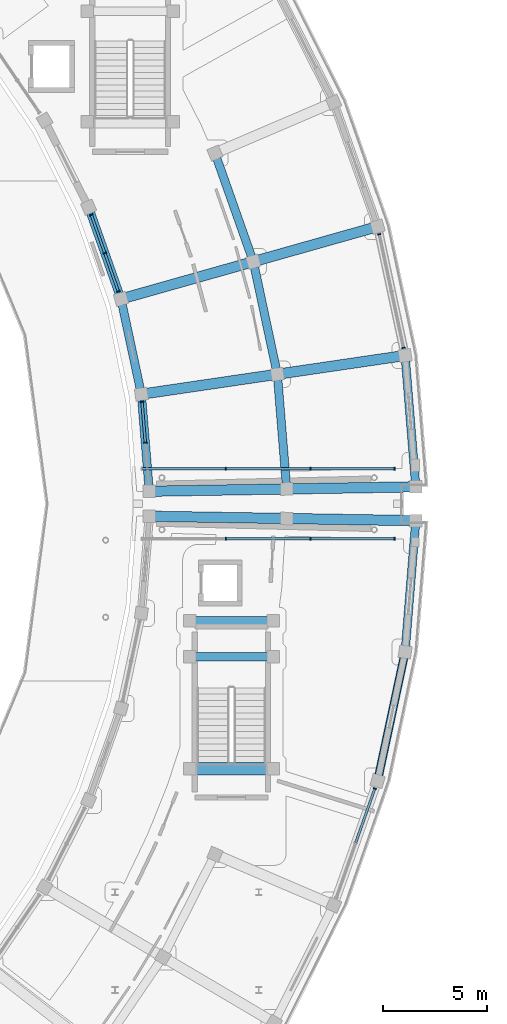
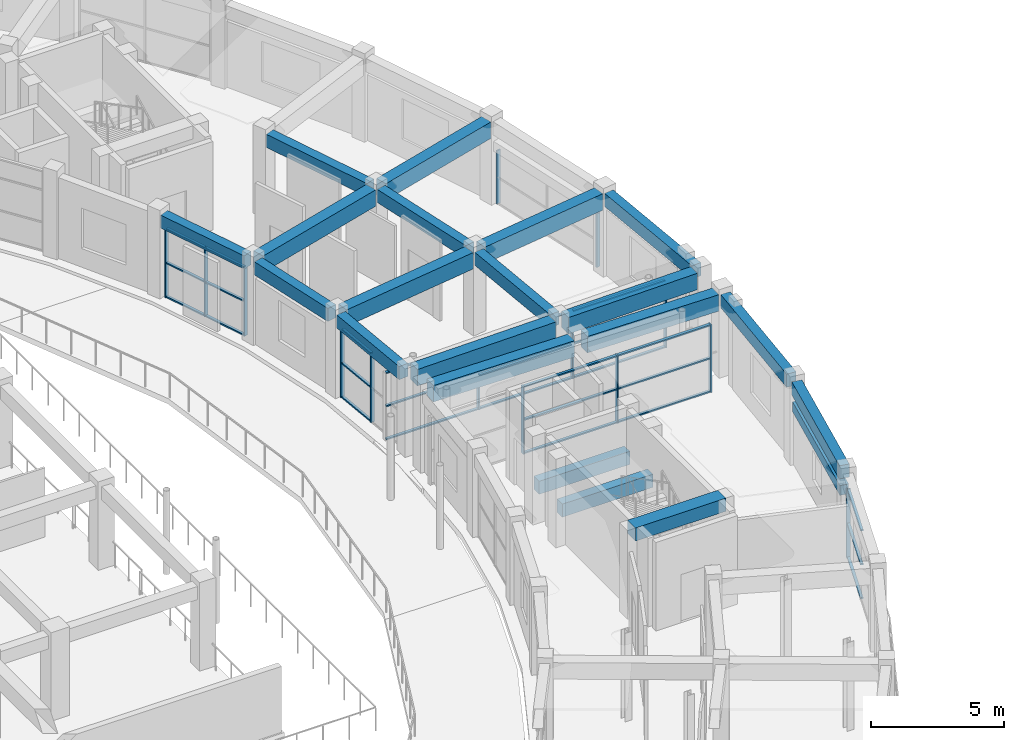
# One storey, part 34 of 83: 41 members, 21 beams, 6 elements without a shape of their own.
"""IFC4 building model written with IfcOpenShell, lengths in metres."""

from ifc_helpers import new_model, si_unit, direction, frame, origin, origin_2d, place, context, subcontext, project, spatial, rectangle, extrude, material, material_profile, profile_set, type_object, element, aggregate, save


model = new_model("IFC4")

# Units and contexts
model_context = context("Model", 3, precision=1e-05, world=origin(), true_north=direction((0.0, 1.0)))
body_context = subcontext(model_context, "Body", "Model", "MODEL_VIEW")
ifc_project = project(units=[si_unit("LENGTHUNIT", "METRE"), si_unit("AREAUNIT", "SQUARE_METRE"), si_unit("VOLUMEUNIT", "CUBIC_METRE"), si_unit("PLANEANGLEUNIT", "RADIAN"), si_unit("MASSUNIT", "GRAM", prefix="KILO")], contexts=[model_context])

# Site, building, storey
site_placement = place(None, origin())
site = spatial("IfcSite", under=ifc_project, at=site_placement, CompositionType="ELEMENT")
building_placement = place(site_placement, origin())
building = spatial("IfcBuilding", under=site, at=building_placement, Name="Saryqyr Civic Hall", CompositionType="ELEMENT")
storey_placement = place(building_placement, frame((0.0, 0.0, 9.14990234375)))
storey = spatial("IfcBuildingStorey", under=building, at=storey_placement, Name="L02", CompositionType="ELEMENT", Elevation=9.14990234375)

# Curtain wall, member
ifc_material_1 = material(Name="Anodised aluminium and triple low-E glass", Category="aluminium")
curtain_wall_type_1 = type_object("IfcCurtainWallType", Name="ENV-CW-STD-40", PredefinedType="NOTDEFINED", material=ifc_material_1)
curtain_wall_1_placement = place(storey_placement, origin())
curtain_wall_1 = element("IfcCurtainWall", 1, at=curtain_wall_1_placement, inside=storey, type_object=curtain_wall_type_1, Name="Curtain wall V5-CWO-L02-07", PredefinedType="NOTDEFINED")
ifc_material_2 = material(Name="Anodised aluminium", Category="aluminium")
ifc_material_profile_1 = material_profile(ifc_material_2, rectangle(XDim=0.06005859375, YDim=0.159912109375, at=origin_2d()), Name="ALU MULLION 60x160")
ifc_profile_set_1 = profile_set([ifc_material_profile_1], Name="Anodised aluminium")
member_type_1 = type_object("IfcMemberType", Name="ENV-CW-MUL-180", PredefinedType="MULLION", material=ifc_profile_set_1)
member_1_placement = place(storey_placement, frame((104.02783203125, 70.322998046875, 0.0), z_axis=(0.0, 0.0, 1.0), x_axis=(-0.33318018147, -0.942863174949, 0.0)))
member_1 = element("IfcMember", 2, at=member_1_placement, type_object=member_type_1, Name="CW-40 mullion 1", PredefinedType="MULLION", context=body_context, shape_type="SweptSolid", body=[
    extrude(rectangle(XDim=0.06005859375, YDim=0.159912109375, at=origin_2d()), origin(), (0.0, 0.0, 1.0), 3.1650390625),
])

# Curtain wall, members
curtain_wall_type_2 = type_object("IfcCurtainWallType", Name="ENV-CW-STD-21", PredefinedType="NOTDEFINED", material=ifc_material_1)
curtain_wall_2_placement = place(storey_placement, origin())
curtain_wall_2 = element("IfcCurtainWall", 3, at=curtain_wall_2_placement, inside=storey, type_object=curtain_wall_type_2, Name="Curtain wall V6-CWI-L02-00", PredefinedType="NOTDEFINED")
member_2_placement = place(storey_placement, frame((93.00537109375, 86.93017578125, 0.0), z_axis=(0.0, 0.0, 1.0), x_axis=(-0.081090889978, 0.996706710905, 0.0)))
member_2 = element("IfcMember", 4, at=member_2_placement, type_object=member_type_1, Name="CW-21 mullion 2", PredefinedType="MULLION", context=body_context, shape_type="SweptSolid", body=[
    extrude(rectangle(XDim=0.06005859375, YDim=0.159912109375, at=origin_2d()), origin(), (0.0, 0.0, 1.0), 3.1650390625),
])
member_3_placement = place(storey_placement, frame((92.845947265625, 88.89013671875, 0.0), z_axis=(0.0, 0.0, 1.0), x_axis=(-0.081090889978, 0.996706710905, 0.0)))
member_3 = element("IfcMember", 5, at=member_3_placement, type_object=member_type_1, Name="CW-21 mullion 3", PredefinedType="MULLION", context=body_context, shape_type="SweptSolid", body=[
    extrude(rectangle(XDim=0.06005859375, YDim=0.159912109375, at=origin_2d()), origin(), (0.0, 0.0, 1.0), 3.1650390625),
])

curtain_wall_type_3 = type_object("IfcCurtainWallType", Name="ENV-CW-STD-03", PredefinedType="NOTDEFINED", material=ifc_material_1)
curtain_wall_3_placement = place(storey_placement, origin())
curtain_wall_3 = element("IfcCurtainWall", 6, at=curtain_wall_3_placement, inside=storey, type_object=curtain_wall_type_3, Name="Curtain wall V6-CWO-L02-01", PredefinedType="NOTDEFINED")
member_4_placement = place(storey_placement, frame((104.23681640625, 96.939453125, 0.0), z_axis=(0.0, 0.0, 1.0), x_axis=(0.208908324386, -0.97793522894, 0.0)))
member_4 = element("IfcMember", 7, at=member_4_placement, type_object=member_type_1, Name="CW-03 mullion 1", PredefinedType="MULLION", context=body_context, shape_type="SweptSolid", body=[
    extrude(rectangle(XDim=0.06005859375, YDim=0.159912109375, at=origin_2d()), origin(), (0.0, 0.0, 1.0), 2.4501953125),
])
member_5_placement = place(storey_placement, frame((105.401123046875, 91.4892578125, 0.0), z_axis=(0.0, 0.0, 1.0), x_axis=(0.208908324386, -0.97793522894, 0.0)))
member_5 = element("IfcMember", 8, at=member_5_placement, type_object=member_type_1, Name="CW-03 mullion 3", PredefinedType="MULLION", context=body_context, shape_type="SweptSolid", body=[
    extrude(rectangle(XDim=0.06005859375, YDim=0.159912109375, at=origin_2d()), origin(), (0.0, 0.0, 1.0), 2.4501953125),
])
aggregate(curtain_wall_3, [member_4, member_5])

curtain_wall_4_placement = place(storey_placement, origin())
curtain_wall_4 = element("IfcCurtainWall", 9, at=curtain_wall_4_placement, inside=storey, type_object=curtain_wall_type_2, Name="Curtain wall V6-CWI-L02-02", PredefinedType="NOTDEFINED")
member_6_placement = place(storey_placement, frame((91.708984375, 94.200439453125, 0.0), z_axis=(0.0, 0.0, 1.0), x_axis=(-0.333171977335, 0.94286607401, 0.0)))
member_6 = element("IfcMember", 10, at=member_6_placement, type_object=member_type_1, Name="CW-21 mullion 1", PredefinedType="MULLION", context=body_context, shape_type="SweptSolid", body=[
    extrude(rectangle(XDim=0.06005859375, YDim=0.159912109375, at=origin_2d()), origin(), (0.0, 0.0, 1.0), 3.1650390625),
])
member_7_placement = place(storey_placement, frame((91.060302734375, 96.036376953125, 0.0), z_axis=(0.0, 0.0, 1.0), x_axis=(-0.333171977335, 0.94286607401, 0.0)))
member_7 = element("IfcMember", 11, at=member_7_placement, type_object=member_type_1, Name="CW-21 mullion 2", PredefinedType="MULLION", context=body_context, shape_type="SweptSolid", body=[
    extrude(rectangle(XDim=0.06005859375, YDim=0.159912109375, at=origin_2d()), origin(), (0.0, 0.0, 1.0), 3.1650390625),
])
member_8_placement = place(storey_placement, frame((90.41162109375, 97.8720703125, 0.0), z_axis=(0.0, 0.0, 1.0), x_axis=(-0.333171977335, 0.94286607401, 0.0)))
member_8 = element("IfcMember", 12, at=member_8_placement, type_object=member_type_1, Name="CW-21 mullion 3", PredefinedType="MULLION", context=body_context, shape_type="SweptSolid", body=[
    extrude(rectangle(XDim=0.06005859375, YDim=0.159912109375, at=origin_2d()), origin(), (0.0, 0.0, 1.0), 3.1650390625),
])

curtain_wall_type_4 = type_object("IfcCurtainWallType", Name="ENV-CW-STD-81", PredefinedType="NOTDEFINED", material=ifc_material_1)
curtain_wall_5_placement = place(storey_placement, origin())
curtain_wall_5 = element("IfcCurtainWall", 13, at=curtain_wall_5_placement, inside=storey, type_object=curtain_wall_type_4, Name="Curtain wall BR-E-CW1-L02", PredefinedType="NOTDEFINED")
member_9_placement = place(storey_placement, frame((104.969970703125, 82.320068359375, 0.0), z_axis=(0.0, 0.0, 1.0), x_axis=(-1.0, 0.0, 0.0)))
member_9 = element("IfcMember", 14, at=member_9_placement, type_object=member_type_1, Name="CW-81 mullion 1", PredefinedType="MULLION", context=body_context, shape_type="SweptSolid", body=[
    extrude(rectangle(XDim=0.06005859375, YDim=0.159912109375, at=origin_2d()), origin(), (0.0, 0.0, 1.0), 3.10009765625),
])
member_10_placement = place(storey_placement, frame((100.933349609375, 82.320068359375, 0.0), z_axis=(0.0, 0.0, 1.0), x_axis=(-1.0, 0.0, 0.0)))
member_10 = element("IfcMember", 15, at=member_10_placement, type_object=member_type_1, Name="CW-81 mullion 2", PredefinedType="MULLION", context=body_context, shape_type="SweptSolid", body=[
    extrude(rectangle(XDim=0.06005859375, YDim=0.159912109375, at=origin_2d()), origin(), (0.0, 0.0, 1.0), 3.10009765625),
])
member_11_placement = place(storey_placement, frame((96.86669921875, 82.320068359375, 0.0), z_axis=(0.0, 0.0, 1.0), x_axis=(-1.0, 0.0, 0.0)))
member_11 = element("IfcMember", 16, at=member_11_placement, type_object=member_type_1, Name="CW-81 mullion 3", PredefinedType="MULLION", context=body_context, shape_type="SweptSolid", body=[
    extrude(rectangle(XDim=0.06005859375, YDim=0.159912109375, at=origin_2d()), origin(), (0.0, 0.0, 1.0), 3.10009765625),
])

curtain_wall_6_placement = place(storey_placement, origin())
curtain_wall_6 = element("IfcCurtainWall", 17, at=curtain_wall_6_placement, inside=storey, type_object=curtain_wall_type_4, Name="Curtain wall BR-E-CW2-L02", PredefinedType="NOTDEFINED")
member_12_placement = place(storey_placement, frame((96.86669921875, 85.679931640625, 0.0), z_axis=(0.0, 0.0, 1.0), x_axis=(1.0, 0.0, 0.0)))
member_12 = element("IfcMember", 18, at=member_12_placement, type_object=member_type_1, Name="CW-81 mullion 2", PredefinedType="MULLION", context=body_context, shape_type="SweptSolid", body=[
    extrude(rectangle(XDim=0.06005859375, YDim=0.159912109375, at=origin_2d()), origin(), (0.0, 0.0, 1.0), 3.10009765625),
])
member_13_placement = place(storey_placement, frame((100.933349609375, 85.679931640625, 0.0), z_axis=(0.0, 0.0, 1.0), x_axis=(1.0, 0.0, 0.0)))
member_13 = element("IfcMember", 19, at=member_13_placement, type_object=member_type_1, Name="CW-81 mullion 3", PredefinedType="MULLION", context=body_context, shape_type="SweptSolid", body=[
    extrude(rectangle(XDim=0.06005859375, YDim=0.159912109375, at=origin_2d()), origin(), (0.0, 0.0, 1.0), 3.10009765625),
])
member_14_placement = place(storey_placement, frame((104.969970703125, 85.679931640625, 0.0), z_axis=(0.0, 0.0, 1.0), x_axis=(1.0, 0.0, 0.0)))
member_14 = element("IfcMember", 20, at=member_14_placement, type_object=member_type_1, Name="CW-81 mullion 4", PredefinedType="MULLION", context=body_context, shape_type="SweptSolid", body=[
    extrude(rectangle(XDim=0.06005859375, YDim=0.159912109375, at=origin_2d()), origin(), (0.0, 0.0, 1.0), 3.10009765625),
])

# Member
ifc_material_profile_2 = material_profile(ifc_material_2, rectangle(XDim=0.1201171875, YDim=0.06005859375, at=origin_2d()), Name="ALU TRANSOM 120x60")
ifc_profile_set_2 = profile_set([ifc_material_profile_2], Name="Anodised aluminium")
member_type_2 = type_object("IfcMemberType", Name="ENV-CW-TRN-150", PredefinedType="USERDEFINED", material=ifc_profile_set_2)
member_15_placement = place(storey_placement, frame((104.017822265625, 70.294677734375, 0.030029296875), z_axis=(-0.333154226884, -0.942872346137, 0.0), x_axis=(0.942872346137, -0.333154226884, 0.0)))
member_15 = element("IfcMember", 21, at=member_15_placement, type_object=member_type_2, Name="CW-40 transom 1.1", ObjectType="TRANSOM", PredefinedType="USERDEFINED", context=body_context, shape_type="SweptSolid", body=[
    extrude(rectangle(XDim=0.1201171875, YDim=0.06005859375, at=origin_2d()), origin(), (0.0, 0.0, 1.0), 2.713623046875),
])

member_16_placement = place(storey_placement, frame((104.017822265625, 70.294677734375, 1.58203125), z_axis=(-0.333154226884, -0.942872346137, 0.0), x_axis=(0.942872346137, -0.333154226884, 0.0)))
member_16 = element("IfcMember", 22, at=member_16_placement, type_object=member_type_2, Name="CW-40 transom 1.2", ObjectType="TRANSOM", PredefinedType="USERDEFINED", context=body_context, shape_type="SweptSolid", body=[
    extrude(rectangle(XDim=0.1201171875, YDim=0.06005859375, at=origin_2d()), origin(), (0.0, 0.0, 1.0), 2.713623046875),
])

member_17_placement = place(storey_placement, frame((104.017822265625, 70.294677734375, 3.135009765625), z_axis=(-0.333154226884, -0.942872346137, 0.0), x_axis=(0.942872346137, -0.333154226884, 0.0)))
member_17 = element("IfcMember", 23, at=member_17_placement, type_object=member_type_2, Name="CW-40 transom 1.3", ObjectType="TRANSOM", PredefinedType="USERDEFINED", context=body_context, shape_type="SweptSolid", body=[
    extrude(rectangle(XDim=0.1201171875, YDim=0.06005859375, at=origin_2d()), origin(), (0.0, 0.0, 1.0), 2.713623046875),
])

aggregate(curtain_wall_1, [member_1, member_15, member_16, member_17])

member_18_placement = place(storey_placement, frame((93.0029296875, 86.9599609375, 0.030029296875), z_axis=(-0.081053095321, 0.996709785112, 0.0), x_axis=(-0.996709785112, -0.081053095321, 0.0)))
member_18 = element("IfcMember", 24, at=member_18_placement, type_object=member_type_2, Name="CW-21 transom 2.1", ObjectType="TRANSOM", PredefinedType="USERDEFINED", context=body_context, shape_type="SweptSolid", body=[
    extrude(rectangle(XDim=0.1201171875, YDim=0.06005859375, at=origin_2d()), origin(), (0.0, 0.0, 1.0), 1.90673828125),
])

member_19_placement = place(storey_placement, frame((93.0029296875, 86.9599609375, 1.58203125), z_axis=(-0.081053095321, 0.996709785112, 0.0), x_axis=(-0.996709785112, -0.081053095321, 0.0)))
member_19 = element("IfcMember", 25, at=member_19_placement, type_object=member_type_2, Name="CW-21 transom 2.2", ObjectType="TRANSOM", PredefinedType="USERDEFINED", context=body_context, shape_type="SweptSolid", body=[
    extrude(rectangle(XDim=0.1201171875, YDim=0.06005859375, at=origin_2d()), origin(), (0.0, 0.0, 1.0), 1.90673828125),
])

member_20_placement = place(storey_placement, frame((93.0029296875, 86.9599609375, 3.135009765625), z_axis=(-0.081053095321, 0.996709785112, 0.0), x_axis=(-0.996709785112, -0.081053095321, 0.0)))
member_20 = element("IfcMember", 26, at=member_20_placement, type_object=member_type_2, Name="CW-21 transom 2.3", ObjectType="TRANSOM", PredefinedType="USERDEFINED", context=body_context, shape_type="SweptSolid", body=[
    extrude(rectangle(XDim=0.1201171875, YDim=0.06005859375, at=origin_2d()), origin(), (0.0, 0.0, 1.0), 1.90673828125),
])

aggregate(curtain_wall_2, [member_2, member_3, member_18, member_19, member_20])

member_21_placement = place(storey_placement, frame((91.698974609375, 94.228759765625, 0.030029296875), z_axis=(-0.333138159912, 0.942878023082, 0.0), x_axis=(-0.942878023082, -0.333138159912, 0.0)))
member_21 = element("IfcMember", 27, at=member_21_placement, type_object=member_type_2, Name="CW-21 transom 1.1", ObjectType="TRANSOM", PredefinedType="USERDEFINED", context=body_context, shape_type="SweptSolid", body=[
    extrude(rectangle(XDim=0.1201171875, YDim=0.06005859375, at=origin_2d()), origin(), (0.0, 0.0, 1.0), 1.88720703125),
])

member_22_placement = place(storey_placement, frame((91.698974609375, 94.228759765625, 1.58203125), z_axis=(-0.333138159912, 0.942878023082, 0.0), x_axis=(-0.942878023082, -0.333138159912, 0.0)))
member_22 = element("IfcMember", 28, at=member_22_placement, type_object=member_type_2, Name="CW-21 transom 1.2", ObjectType="TRANSOM", PredefinedType="USERDEFINED", context=body_context, shape_type="SweptSolid", body=[
    extrude(rectangle(XDim=0.1201171875, YDim=0.06005859375, at=origin_2d()), origin(), (0.0, 0.0, 1.0), 1.88720703125),
])

member_23_placement = place(storey_placement, frame((91.698974609375, 94.228759765625, 3.135009765625), z_axis=(-0.333138159912, 0.942878023082, 0.0), x_axis=(-0.942878023082, -0.333138159912, 0.0)))
member_23 = element("IfcMember", 29, at=member_23_placement, type_object=member_type_2, Name="CW-21 transom 1.3", ObjectType="TRANSOM", PredefinedType="USERDEFINED", context=body_context, shape_type="SweptSolid", body=[
    extrude(rectangle(XDim=0.1201171875, YDim=0.06005859375, at=origin_2d()), origin(), (0.0, 0.0, 1.0), 1.88720703125),
])

member_24_placement = place(storey_placement, frame((91.05029296875, 96.064697265625, 0.030029296875), z_axis=(-0.333178802066, 0.942863662389, 0.0), x_axis=(-0.942863662389, -0.333178802066, 0.0)))
member_24 = element("IfcMember", 30, at=member_24_placement, type_object=member_type_2, Name="CW-21 transom 2.1", ObjectType="TRANSOM", PredefinedType="USERDEFINED", context=body_context, shape_type="SweptSolid", body=[
    extrude(rectangle(XDim=0.1201171875, YDim=0.06005859375, at=origin_2d()), origin(), (0.0, 0.0, 1.0), 1.886962890625),
])

member_25_placement = place(storey_placement, frame((91.05029296875, 96.064697265625, 1.58203125), z_axis=(-0.333178802066, 0.942863662389, 0.0), x_axis=(-0.942863662389, -0.333178802066, 0.0)))
member_25 = element("IfcMember", 31, at=member_25_placement, type_object=member_type_2, Name="CW-21 transom 2.2", ObjectType="TRANSOM", PredefinedType="USERDEFINED", context=body_context, shape_type="SweptSolid", body=[
    extrude(rectangle(XDim=0.1201171875, YDim=0.06005859375, at=origin_2d()), origin(), (0.0, 0.0, 1.0), 1.886962890625),
])

member_26_placement = place(storey_placement, frame((91.05029296875, 96.064697265625, 3.135009765625), z_axis=(-0.333178802066, 0.942863662389, 0.0), x_axis=(-0.942863662389, -0.333178802066, 0.0)))
member_26 = element("IfcMember", 32, at=member_26_placement, type_object=member_type_2, Name="CW-21 transom 2.3", ObjectType="TRANSOM", PredefinedType="USERDEFINED", context=body_context, shape_type="SweptSolid", body=[
    extrude(rectangle(XDim=0.1201171875, YDim=0.06005859375, at=origin_2d()), origin(), (0.0, 0.0, 1.0), 1.886962890625),
])

aggregate(curtain_wall_4, [member_6, member_7, member_8, member_21, member_22, member_23, member_24, member_25, member_26])

member_27_placement = place(storey_placement, frame((104.93994140625, 82.320068359375, 0.030029296875), z_axis=(-1.0, 0.0, 0.0), x_axis=(0.0, -1.0, 0.0)))
member_27 = element("IfcMember", 33, at=member_27_placement, type_object=member_type_2, Name="CW-81 transom 1.1", ObjectType="TRANSOM", PredefinedType="USERDEFINED", context=body_context, shape_type="SweptSolid", body=[
    extrude(rectangle(XDim=0.1201171875, YDim=0.06005859375, at=origin_2d()), origin(), (0.0, 0.0, 1.0), 3.9765625),
])

member_28_placement = place(storey_placement, frame((104.93994140625, 82.320068359375, 1.550048828125), z_axis=(-1.0, 0.0, 0.0), x_axis=(0.0, -1.0, 0.0)))
member_28 = element("IfcMember", 34, at=member_28_placement, type_object=member_type_2, Name="CW-81 transom 1.2", ObjectType="TRANSOM", PredefinedType="USERDEFINED", context=body_context, shape_type="SweptSolid", body=[
    extrude(rectangle(XDim=0.1201171875, YDim=0.06005859375, at=origin_2d()), origin(), (0.0, 0.0, 1.0), 3.9765625),
])

member_29_placement = place(storey_placement, frame((104.93994140625, 82.320068359375, 3.070068359375), z_axis=(-1.0, 0.0, 0.0), x_axis=(0.0, -1.0, 0.0)))
member_29 = element("IfcMember", 35, at=member_29_placement, type_object=member_type_2, Name="CW-81 transom 1.3", ObjectType="TRANSOM", PredefinedType="USERDEFINED", context=body_context, shape_type="SweptSolid", body=[
    extrude(rectangle(XDim=0.1201171875, YDim=0.06005859375, at=origin_2d()), origin(), (0.0, 0.0, 1.0), 3.9765625),
])

member_30_placement = place(storey_placement, frame((100.9033203125, 82.320068359375, 0.030029296875), z_axis=(-1.0, 0.0, 0.0), x_axis=(0.0, -1.0, 0.0)))
member_30 = element("IfcMember", 36, at=member_30_placement, type_object=member_type_2, Name="CW-81 transom 2.1", ObjectType="TRANSOM", PredefinedType="USERDEFINED", context=body_context, shape_type="SweptSolid", body=[
    extrude(rectangle(XDim=0.1201171875, YDim=0.06005859375, at=origin_2d()), origin(), (0.0, 0.0, 1.0), 4.006591796875),
])

member_31_placement = place(storey_placement, frame((100.9033203125, 82.320068359375, 1.550048828125), z_axis=(-1.0, 0.0, 0.0), x_axis=(0.0, -1.0, 0.0)))
member_31 = element("IfcMember", 37, at=member_31_placement, type_object=member_type_2, Name="CW-81 transom 2.2", ObjectType="TRANSOM", PredefinedType="USERDEFINED", context=body_context, shape_type="SweptSolid", body=[
    extrude(rectangle(XDim=0.1201171875, YDim=0.06005859375, at=origin_2d()), origin(), (0.0, 0.0, 1.0), 4.006591796875),
])

member_32_placement = place(storey_placement, frame((100.9033203125, 82.320068359375, 3.070068359375), z_axis=(-1.0, 0.0, 0.0), x_axis=(0.0, -1.0, 0.0)))
member_32 = element("IfcMember", 38, at=member_32_placement, type_object=member_type_2, Name="CW-81 transom 2.3", ObjectType="TRANSOM", PredefinedType="USERDEFINED", context=body_context, shape_type="SweptSolid", body=[
    extrude(rectangle(XDim=0.1201171875, YDim=0.06005859375, at=origin_2d()), origin(), (0.0, 0.0, 1.0), 4.006591796875),
])

aggregate(curtain_wall_5, [member_9, member_10, member_11, member_27, member_28, member_29, member_30, member_31, member_32])

member_33_placement = place(storey_placement, frame((92.860107421875, 85.679931640625, 0.030029296875), z_axis=(1.0, 0.0, 0.0), x_axis=(0.0, 1.0, 0.0)))
member_33 = element("IfcMember", 39, at=member_33_placement, type_object=member_type_2, Name="CW-81 transom 1.1", ObjectType="TRANSOM", PredefinedType="USERDEFINED", context=body_context, shape_type="SweptSolid", body=[
    extrude(rectangle(XDim=0.1201171875, YDim=0.06005859375, at=origin_2d()), origin(), (0.0, 0.0, 1.0), 3.9765625),
])

member_34_placement = place(storey_placement, frame((92.860107421875, 85.679931640625, 1.550048828125), z_axis=(1.0, 0.0, 0.0), x_axis=(0.0, 1.0, 0.0)))
member_34 = element("IfcMember", 40, at=member_34_placement, type_object=member_type_2, Name="CW-81 transom 1.2", ObjectType="TRANSOM", PredefinedType="USERDEFINED", context=body_context, shape_type="SweptSolid", body=[
    extrude(rectangle(XDim=0.1201171875, YDim=0.06005859375, at=origin_2d()), origin(), (0.0, 0.0, 1.0), 3.9765625),
])

member_35_placement = place(storey_placement, frame((92.860107421875, 85.679931640625, 3.070068359375), z_axis=(1.0, 0.0, 0.0), x_axis=(0.0, 1.0, 0.0)))
member_35 = element("IfcMember", 41, at=member_35_placement, type_object=member_type_2, Name="CW-81 transom 1.3", ObjectType="TRANSOM", PredefinedType="USERDEFINED", context=body_context, shape_type="SweptSolid", body=[
    extrude(rectangle(XDim=0.1201171875, YDim=0.06005859375, at=origin_2d()), origin(), (0.0, 0.0, 1.0), 3.9765625),
])

member_36_placement = place(storey_placement, frame((96.896728515625, 85.679931640625, 0.030029296875), z_axis=(1.0, 0.0, 0.0), x_axis=(0.0, 1.0, 0.0)))
member_36 = element("IfcMember", 42, at=member_36_placement, type_object=member_type_2, Name="CW-81 transom 2.1", ObjectType="TRANSOM", PredefinedType="USERDEFINED", context=body_context, shape_type="SweptSolid", body=[
    extrude(rectangle(XDim=0.1201171875, YDim=0.06005859375, at=origin_2d()), origin(), (0.0, 0.0, 1.0), 4.006591796875),
])

member_37_placement = place(storey_placement, frame((96.896728515625, 85.679931640625, 1.550048828125), z_axis=(1.0, 0.0, 0.0), x_axis=(0.0, 1.0, 0.0)))
member_37 = element("IfcMember", 43, at=member_37_placement, type_object=member_type_2, Name="CW-81 transom 2.2", ObjectType="TRANSOM", PredefinedType="USERDEFINED", context=body_context, shape_type="SweptSolid", body=[
    extrude(rectangle(XDim=0.1201171875, YDim=0.06005859375, at=origin_2d()), origin(), (0.0, 0.0, 1.0), 4.006591796875),
])

member_38_placement = place(storey_placement, frame((96.896728515625, 85.679931640625, 3.070068359375), z_axis=(1.0, 0.0, 0.0), x_axis=(0.0, 1.0, 0.0)))
member_38 = element("IfcMember", 44, at=member_38_placement, type_object=member_type_2, Name="CW-81 transom 2.3", ObjectType="TRANSOM", PredefinedType="USERDEFINED", context=body_context, shape_type="SweptSolid", body=[
    extrude(rectangle(XDim=0.1201171875, YDim=0.06005859375, at=origin_2d()), origin(), (0.0, 0.0, 1.0), 4.006591796875),
])

member_39_placement = place(storey_placement, frame((100.96337890625, 85.679931640625, 0.030029296875), z_axis=(1.0, 0.0, 0.0), x_axis=(0.0, 1.0, 0.0)))
member_39 = element("IfcMember", 45, at=member_39_placement, type_object=member_type_2, Name="CW-81 transom 3.1", ObjectType="TRANSOM", PredefinedType="USERDEFINED", context=body_context, shape_type="SweptSolid", body=[
    extrude(rectangle(XDim=0.1201171875, YDim=0.06005859375, at=origin_2d()), origin(), (0.0, 0.0, 1.0), 3.9765625),
])

member_40_placement = place(storey_placement, frame((100.96337890625, 85.679931640625, 1.550048828125), z_axis=(1.0, 0.0, 0.0), x_axis=(0.0, 1.0, 0.0)))
member_40 = element("IfcMember", 46, at=member_40_placement, type_object=member_type_2, Name="CW-81 transom 3.2", ObjectType="TRANSOM", PredefinedType="USERDEFINED", context=body_context, shape_type="SweptSolid", body=[
    extrude(rectangle(XDim=0.1201171875, YDim=0.06005859375, at=origin_2d()), origin(), (0.0, 0.0, 1.0), 3.9765625),
])

member_41_placement = place(storey_placement, frame((100.96337890625, 85.679931640625, 3.070068359375), z_axis=(1.0, 0.0, 0.0), x_axis=(0.0, 1.0, 0.0)))
member_41 = element("IfcMember", 47, at=member_41_placement, type_object=member_type_2, Name="CW-81 transom 3.3", ObjectType="TRANSOM", PredefinedType="USERDEFINED", context=body_context, shape_type="SweptSolid", body=[
    extrude(rectangle(XDim=0.1201171875, YDim=0.06005859375, at=origin_2d()), origin(), (0.0, 0.0, 1.0), 3.9765625),
])

aggregate(curtain_wall_6, [member_12, member_13, member_14, member_33, member_34, member_35, member_36, member_37, member_38, member_39, member_40, member_41])

# Beams
ifc_material_3 = material(Name="Concrete C35/45", Category="concrete")
ifc_material_profile_3 = material_profile(ifc_material_3, rectangle(XDim=0.39990234375, YDim=0.60009765625, at=origin_2d()), Name="RC 400x600")
ifc_profile_set_3 = profile_set([ifc_material_profile_3], Name="Concrete C35/45")
beam_type_1 = type_object("IfcBeamType", Name="STR-BM-RC400x600", PredefinedType="BEAM", material=ifc_profile_set_3)
for number, where, z_axis, x_axis, name in (
    (48, (99.771728515625, 84.983642578125, 3.489990234375), (-0.081072662347, 0.996708193716, 0.0), (-0.996708193716, -0.081072662347, 0.0), "Beam V6-CBM-MID00-L02"),
    (49, (99.288330078125, 90.488037109375, 3.489990234375), (-0.208889285381, 0.977939295894, 0.0), (-0.977939295894, -0.208889285381, 0.0), "Beam V6-CBM-MID01-L02"),
    (50, (98.099609375, 95.884033203125, 3.489990234375), (-0.333215168941, 0.942850810674, 0.0), (-0.942850810674, -0.333215168941, 0.0), "Beam V6-CBM-MID02-L02"),
):
    element("IfcBeam", number, at=place(storey_placement, frame(where, z_axis=z_axis, x_axis=x_axis)), inside=storey, type_object=beam_type_1, Name=name, PredefinedType="BEAM", context=body_context, shape_type="SweptSolid", body=[
        extrude(rectangle(XDim=0.39990234375, YDim=0.60009765625, at=origin_2d()), origin(), (0.0, 0.0, 1.0), 4.977783203125),
    ])
for number, where, z_axis, x_axis, name in (
    (51, (99.10009765625, 76.64990234375, 1.525146484375), (-1.0, 0.0, 0.0), (0.0, -1.0, 0.0), "Stair half-landing support beam ST-5-LND1-L02"),
    (52, (99.10009765625, 78.3798828125, 1.525146484375), (-1.0, 0.0, 0.0), (0.0, -1.0, 0.0), "Stair half-landing support beam ST-5-LND2-L02"),
):
    element("IfcBeam", number, at=place(storey_placement, frame(where, z_axis=z_axis, x_axis=x_axis)), inside=storey, type_object=beam_type_1, Name=name, PredefinedType="BEAM", context=body_context, shape_type="SweptSolid", body=[
        extrude(rectangle(XDim=0.39990234375, YDim=0.60009765625, at=origin_2d()), origin(), (0.0, 0.0, 1.0), 3.920166015625),
    ])
ifc_material_profile_4 = material_profile(ifc_material_3, rectangle(XDim=0.39990234375, YDim=0.60009765625, at=origin_2d()), Name="RC 400x600")
ifc_profile_set_4 = profile_set([ifc_material_profile_4], Name="Concrete C35/45")
beam_type_2 = type_object("IfcBeamType", Name="STR-BM-RC400x600-EXT", PredefinedType="BEAM", material=ifc_profile_set_4)
beam_1_placement = place(storey_placement, frame((104.21533203125, 70.960205078125, 3.489990234375), z_axis=(0.208928885594, 0.977930836391, 0.0), x_axis=(-0.977930836391, 0.208928885594, 0.0)))
element("IfcBeam", 53, at=beam_1_placement, inside=storey, type_object=beam_type_2, Name="Beam V5-CBM-OUT08-L02", PredefinedType="BEAM", context=body_context, shape_type="SweptSolid", body=[
    extrude(rectangle(XDim=0.39990234375, YDim=0.60009765625, at=origin_2d()), origin(), (0.0, 0.0, 1.0), 5.7783203125),
])
beam_2_placement = place(storey_placement, frame((105.502197265625, 77.154052734375, 3.489990234375), z_axis=(0.081118754251, 0.996704443508, 0.0), x_axis=(-0.996704443508, 0.081118754251, 0.0)))
element("IfcBeam", 54, at=beam_2_placement, inside=storey, type_object=beam_type_2, Name="Beam V5-CBM-OUT09-L02", PredefinedType="BEAM", context=body_context, shape_type="SweptSolid", body=[
    extrude(rectangle(XDim=0.39990234375, YDim=0.60009765625, at=origin_2d()), origin(), (0.0, 0.0, 1.0), 5.778564453125),
])
beam_3_placement = place(storey_placement, frame((93.172607421875, 84.874267578125, 3.489990234375), z_axis=(-0.081076463708, 0.996707884504, 0.0), x_axis=(-0.996707884504, -0.081076463708, 0.0)))
element("IfcBeam", 55, at=beam_3_placement, inside=storey, type_object=beam_type_2, Name="Beam V6-CBM-IN00-L02", PredefinedType="BEAM", context=body_context, shape_type="SweptSolid", body=[
    extrude(rectangle(XDim=0.39990234375, YDim=0.60009765625, at=origin_2d()), origin(), (0.0, 0.0, 1.0), 4.12548828125),
])
beam_4_placement = place(storey_placement, frame((105.970947265625, 85.08642578125, 3.489990234375), z_axis=(-0.081118754251, 0.996704443508, 0.0), x_axis=(-0.996704443508, -0.081118754251, 0.0)))
element("IfcBeam", 56, at=beam_4_placement, inside=storey, type_object=beam_type_2, Name="Beam V6-CBM-OUT00-L02", PredefinedType="BEAM", context=body_context, shape_type="SweptSolid", body=[
    extrude(rectangle(XDim=0.39990234375, YDim=0.60009765625, at=origin_2d()), origin(), (0.0, 0.0, 1.0), 5.778564453125),
])
beam_5_placement = place(storey_placement, frame((92.75830078125, 89.529052734375, 3.489990234375), z_axis=(-0.208914702751, 0.97793386636, 0.0), x_axis=(-0.97793386636, -0.208914702751, 0.0)))
element("IfcBeam", 57, at=beam_5_placement, inside=storey, type_object=beam_type_2, Name="Beam V6-CBM-IN01-L02", PredefinedType="BEAM", context=body_context, shape_type="SweptSolid", body=[
    extrude(rectangle(XDim=0.39990234375, YDim=0.60009765625, at=origin_2d()), origin(), (0.0, 0.0, 1.0), 4.125244140625),
])
beam_6_placement = place(storey_placement, frame((91.74755859375, 94.091552734375, 3.489990234375), z_axis=(-0.333185372097, 0.942861340718, 0.0), x_axis=(-0.942861340718, -0.333185372097, 0.0)))
element("IfcBeam", 58, at=beam_6_placement, inside=storey, type_object=beam_type_2, Name="Beam V6-CBM-IN02-L02", PredefinedType="BEAM", context=body_context, shape_type="SweptSolid", body=[
    extrude(rectangle(XDim=0.39990234375, YDim=0.60009765625, at=origin_2d()), origin(), (0.0, 0.0, 1.0), 4.12548828125),
])
ifc_material_4 = material(Name="Concrete C40/50", Category="concrete")
ifc_material_profile_5 = material_profile(ifc_material_4, rectangle(XDim=0.5, YDim=0.75, at=origin_2d()), Name="RC 500x750")
ifc_profile_set_5 = profile_set([ifc_material_profile_5], Name="Concrete C40/50")
beam_type_3 = type_object("IfcBeamType", Name="STR-BM-RC500x750", PredefinedType="BEAM", material=ifc_profile_set_5)
beam_7_placement = place(storey_placement, frame((93.469970703125, 83.395263671875, 3.4150390625), z_axis=(0.9998624481, -0.016585682939, 0.0), x_axis=(0.016585682939, 0.9998624481, 0.0)))
element("IfcBeam", 59, at=beam_7_placement, inside=storey, type_object=beam_type_3, Name="Beam V5-RBM-A10-L02", PredefinedType="BEAM", context=body_context, shape_type="SweptSolid", body=[
    extrude(rectangle(XDim=0.5, YDim=0.75, at=origin_2d()), origin(), (0.0, 0.0, 1.0), 6.0498046875),
])
beam_8_placement = place(storey_placement, frame((100.069091796875, 83.285888671875, 3.4150390625), z_axis=(0.999862325475, -0.016593073728, 0.0), x_axis=(0.016593073728, 0.999862325475, 0.0)))
element("IfcBeam", 60, at=beam_8_placement, inside=storey, type_object=beam_type_3, Name="Beam V5-RBM-B10-L02", PredefinedType="BEAM", context=body_context, shape_type="SweptSolid", body=[
    extrude(rectangle(XDim=0.5, YDim=0.75, at=origin_2d()), origin(), (0.0, 0.0, 1.0), 5.64990234375),
])
beam_9_placement = place(storey_placement, frame((93.469970703125, 84.604736328125, 3.4150390625), z_axis=(0.9998624481, 0.016585682939, 0.0), x_axis=(-0.016585682939, 0.9998624481, 0.0)))
element("IfcBeam", 61, at=beam_9_placement, inside=storey, type_object=beam_type_3, Name="Beam V6-RBM-A00-L02", PredefinedType="BEAM", context=body_context, shape_type="SweptSolid", body=[
    extrude(rectangle(XDim=0.5, YDim=0.75, at=origin_2d()), origin(), (0.0, 0.0, 1.0), 6.0498046875),
])
beam_10_placement = place(storey_placement, frame((100.069091796875, 84.714111328125, 3.4150390625), z_axis=(0.999862325475, 0.016593073728, 0.0), x_axis=(-0.016593073728, 0.999862325475, 0.0)))
element("IfcBeam", 62, at=beam_10_placement, inside=storey, type_object=beam_type_3, Name="Beam V6-RBM-B00-L02", PredefinedType="BEAM", context=body_context, shape_type="SweptSolid", body=[
    extrude(rectangle(XDim=0.5, YDim=0.75, at=origin_2d()), origin(), (0.0, 0.0, 1.0), 5.64990234375),
])
beam_11_placement = place(storey_placement, frame((93.087890625, 89.300048828125, 3.4150390625), z_axis=(0.989385770491, 0.145312756323, 0.0), x_axis=(-0.145312756323, 0.989385770491, 0.0)))
element("IfcBeam", 63, at=beam_11_placement, inside=storey, type_object=beam_type_3, Name="Beam V6-RBM-A01-L02", PredefinedType="BEAM", context=body_context, shape_type="SweptSolid", body=[
    extrude(rectangle(XDim=0.5, YDim=0.75, at=origin_2d()), origin(), (0.0, 0.0, 1.0), 6.050048828125),
])
beam_12_placement = place(storey_placement, frame((99.617919921875, 90.259033203125, 3.4150390625), z_axis=(0.989385279689, 0.145316097986, 0.0), x_axis=(-0.145316097986, 0.989385279689, 0.0)))
element("IfcBeam", 64, at=beam_12_placement, inside=storey, type_object=beam_type_3, Name="Beam V6-RBM-B01-L02", PredefinedType="BEAM", context=body_context, shape_type="SweptSolid", body=[
    extrude(rectangle(XDim=0.5, YDim=0.75, at=origin_2d()), origin(), (0.0, 0.0, 1.0), 5.650146484375),
])
beam_13_placement = place(storey_placement, frame((92.10400390625, 93.906982421875, 3.4150390625), z_axis=(0.962414253167, 0.27158572367, 0.0), x_axis=(-0.27158572367, 0.962414253167, 0.0)))
element("IfcBeam", 65, at=beam_13_placement, inside=storey, type_object=beam_type_3, Name="Beam V6-RBM-A02-L02", PredefinedType="BEAM", context=body_context, shape_type="SweptSolid", body=[
    extrude(rectangle(XDim=0.5, YDim=0.75, at=origin_2d()), origin(), (0.0, 0.0, 1.0), 6.0498046875),
])
beam_14_placement = place(storey_placement, frame((98.455810546875, 95.699462890625, 3.4150390625), z_axis=(0.962402766015, 0.271626427226, 0.0), x_axis=(-0.271626427226, 0.962402766015, 0.0)))
element("IfcBeam", 66, at=beam_14_placement, inside=storey, type_object=beam_type_3, Name="Beam V6-RBM-B02-L02", PredefinedType="BEAM", context=body_context, shape_type="SweptSolid", body=[
    extrude(rectangle(XDim=0.5, YDim=0.75, at=origin_2d()), origin(), (0.0, 0.0, 1.0), 5.64990234375),
])
ifc_material_profile_6 = material_profile(ifc_material_4, rectangle(XDim=0.60009765625, YDim=0.60009765625, at=origin_2d()), Name="RC 600x600")
ifc_profile_set_6 = profile_set([ifc_material_profile_6], Name="Concrete C40/50")
beam_type_4 = type_object("IfcBeamType", Name="STR-BM-RC600x600", PredefinedType="BEAM", material=ifc_profile_set_6)
beam_15_placement = place(storey_placement, frame((99.10009765625, 71.27490234375, 3.75), z_axis=(-1.0, 0.0, 0.0), x_axis=(0.0, -1.0, 0.0)))
element("IfcBeam", 67, at=beam_15_placement, inside=storey, type_object=beam_type_4, Name="Stair well trimmer beam ST-5-L03", PredefinedType="BEAM", context=body_context, shape_type="SweptSolid", body=[
    extrude(rectangle(XDim=0.60009765625, YDim=0.60009765625, at=origin_2d()), origin(), (0.0, 0.0, 1.0), 3.920166015625),
])
ifc_material_5 = material(Name="Precast concrete C40/50", Category="concrete")
ifc_material_profile_7 = material_profile(ifc_material_5, rectangle(XDim=0.35009765625, YDim=0.449951171875, at=origin_2d()), Name="RC 350x450")
ifc_profile_set_7 = profile_set([ifc_material_profile_7], Name="Precast concrete C40/50")
beam_type_5 = type_object("IfcBeamType", Name="STR-LIN-RC350x450", PredefinedType="LINTEL", material=ifc_profile_set_7)
beam_16_placement = place(storey_placement, frame((104.21533203125, 70.960205078125, 2.655029296875), z_axis=(0.208928885594, 0.977930836391, 0.0), x_axis=(-0.977930836391, 0.208928885594, 0.0)))
element("IfcBeam", 68, at=beam_16_placement, inside=storey, type_object=beam_type_5, Name="Beam V5-LIN-08-L02", PredefinedType="LINTEL", context=body_context, shape_type="SweptSolid", body=[
    extrude(rectangle(XDim=0.35009765625, YDim=0.449951171875, at=origin_2d()), origin(), (0.0, 0.0, 1.0), 5.7783203125),
])

save(model, "model.ifc")
